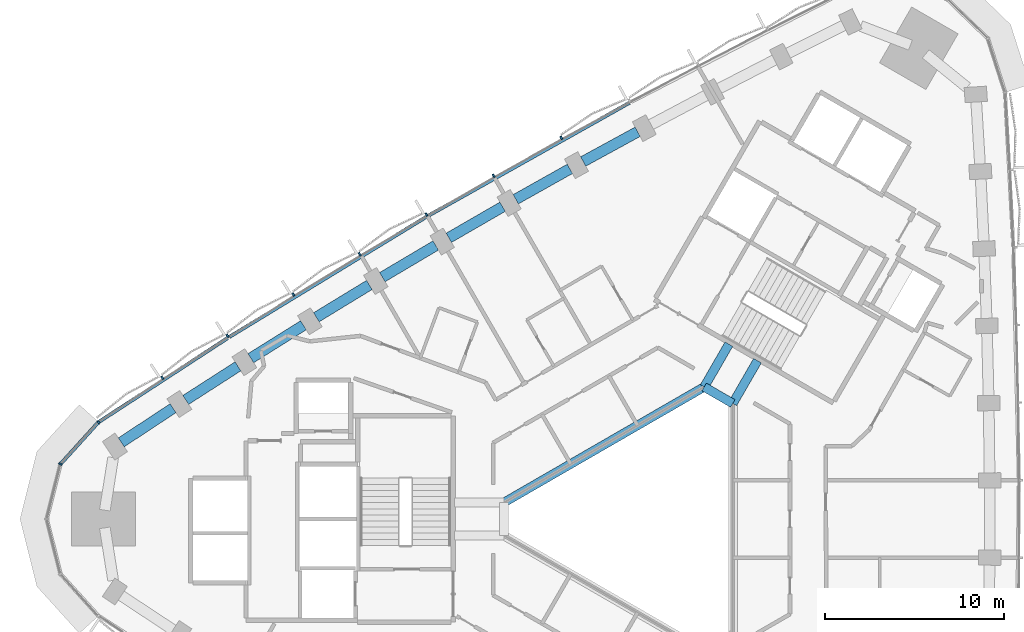
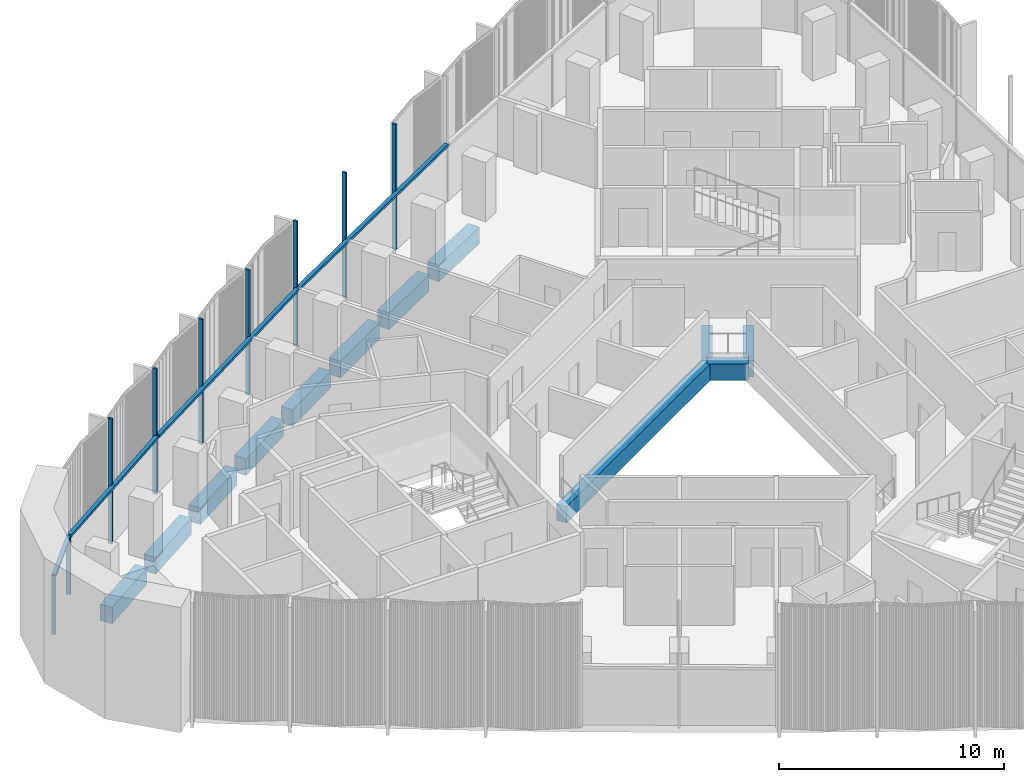
# One storey, part 4 of 15: 13 members, 12 beams, 1 element without a shape of its own.
"""IFC4 building model written with IfcOpenShell, lengths in metres."""

from ifc_helpers import new_model, si_unit, direction, frame, origin, origin_2d, place, context, subcontext, project, spatial, rectangle, extrude, material, material_profile, profile_set, type_object, element, aggregate, save


model = new_model("IFC4")

# Units and contexts
model_context = context("Model", 3, precision=1e-05, world=origin(), true_north=direction((0.0, 1.0)))
body_context = subcontext(model_context, "Body", "Model", "MODEL_VIEW")
ifc_project = project(units=[si_unit("LENGTHUNIT", "METRE"), si_unit("AREAUNIT", "SQUARE_METRE"), si_unit("VOLUMEUNIT", "CUBIC_METRE"), si_unit("PLANEANGLEUNIT", "RADIAN"), si_unit("MASSUNIT", "GRAM", prefix="KILO")], contexts=[model_context])

# Site, building, storey
site_placement = place(None, origin())
site = spatial("IfcSite", under=ifc_project, at=site_placement, CompositionType="ELEMENT")
building_placement = place(site_placement, origin())
building = spatial("IfcBuilding", under=site, at=building_placement, Name="Tamra Quay Hotel Tower", CompositionType="ELEMENT")
storey_placement = place(building_placement, frame((0.0, 0.0, 157.60009765625)))
storey = spatial("IfcBuildingStorey", under=building, at=storey_placement, Name="L39", CompositionType="ELEMENT", Elevation=157.60009765625)

# Beams
ifc_material_1 = material(Name="Concrete M60", Category="concrete")
ifc_material_profile_1 = material_profile(ifc_material_1, rectangle(XDim=0.5, YDim=0.89990234375, at=origin_2d()), Name="ATRIUM EDGE BEAM RC 500x900")
ifc_profile_set_1 = profile_set([ifc_material_profile_1], Name="Concrete M60")
beam_type_1 = type_object("IfcBeamType", Name="ATRIUM EDGE BEAM RC 500x900", PredefinedType="BEAM", material=ifc_profile_set_1)
beam_1_placement = place(storey_placement, frame((-8.0, 0.923828125, -0.85009765625), z_axis=(0.866024942741, 0.500000798549, 0.0), x_axis=(-0.500000798549, 0.866024942741, 0.0)))
element("IfcBeam", 1, at=beam_1_placement, inside=storey, type_object=beam_type_1, Name="BM-AB4-L39", PredefinedType="BEAM", context=body_context, shape_type="SweptSolid", body=[
    extrude(rectangle(XDim=0.5, YDim=0.89990234375, at=origin_2d()), origin(), (0.0, 0.0, 1.0), 12.9326171875),
])
beam_2_placement = place(storey_placement, frame((3.199951171875, 7.39013671875, -0.85009765625), z_axis=(0.86602275259, -0.500004591975, 0.0), x_axis=(0.500004591975, 0.86602275259, 0.0)))
element("IfcBeam", 2, at=beam_2_placement, inside=storey, type_object=beam_type_1, Name="BM-AB5-L39", PredefinedType="BEAM", context=body_context, shape_type="SweptSolid", body=[
    extrude(rectangle(XDim=0.5, YDim=0.89990234375, at=origin_2d()), origin(), (0.0, 0.0, 1.0), 1.84765625),
])
ifc_material_profile_2 = material_profile(ifc_material_1, rectangle(XDim=0.5, YDim=0.89990234375, at=origin_2d()), Name="ATRIUM TIE BEAM RC 500x900")
ifc_profile_set_2 = profile_set([ifc_material_profile_2], Name="Concrete M60")
beam_type_2 = type_object("IfcBeamType", Name="ATRIUM TIE BEAM RC 500x900", PredefinedType="BEAM", material=ifc_profile_set_2)
for number, where, z_axis, x_axis, name in (
    (3, (4.800048828125, 6.46630859375, -0.85009765625), (0.500008091576, 0.86602073206, 0.0), (-0.86602073206, 0.500008091576, 0.0), "BM-TIE-0-L39"),
    (4, (3.199951171875, 7.39013671875, -0.85009765625), (0.500008091576, 0.86602073206, 0.0), (-0.86602073206, 0.500008091576, 0.0), "BM-TIE-5-L39"),
):
    element("IfcBeam", number, at=place(storey_placement, frame(where, z_axis=z_axis, x_axis=x_axis)), inside=storey, type_object=beam_type_2, Name=name, PredefinedType="BEAM", context=body_context, shape_type="SweptSolid", body=[
        extrude(rectangle(XDim=0.5, YDim=0.89990234375, at=origin_2d()), origin(), (0.0, 0.0, 1.0), 2.76220703125),
    ])

# Curtain wall, members
ifc_material_2 = material(Name="Aluminium 6063 anodised dark grey", Category="aluminium")
curtain_wall_type = type_object("IfcCurtainWallType", Name="CW2 CURTAIN WALL", PredefinedType="NOTDEFINED", material=ifc_material_2)
curtain_wall_placement = place(storey_placement, origin())
curtain_wall = element("IfcCurtainWall", 5, at=curtain_wall_placement, inside=storey, type_object=curtain_wall_type, Name="CW2 north-west face L39", PredefinedType="NOTDEFINED")
ifc_material_profile_3 = material_profile(ifc_material_2, rectangle(XDim=0.199951171875, YDim=0.10009765625, at=origin_2d()), Name="MULLION 100X200")
ifc_profile_set_3 = profile_set([ifc_material_profile_3], Name="Aluminium 6063 anodised dark grey")
member_type_1 = type_object("IfcMemberType", Name="MULLION CW2 Z3", PredefinedType="MULLION", material=ifc_profile_set_3)
member_1_placement = place(storey_placement, frame((-4.792236328125, 21.329345703125, 0.0), z_axis=(0.0, 0.0, 1.0), x_axis=(-0.484394477866, 0.874849695555, 0.0)))
member_1 = element("IfcMember", 6, at=member_1_placement, type_object=member_type_1, Name="CW2 mullion L39.NW.5", PredefinedType="MULLION", context=body_context, shape_type="SweptSolid", body=[
    extrude(rectangle(XDim=0.199951171875, YDim=0.10009765625, at=origin_2d()), origin(), (0.0, 0.0, 1.0), 6.7998046875),
])
member_2_placement = place(storey_placement, frame((-8.578857421875, 19.202880859375, 0.0), z_axis=(0.0, 0.0, 1.0), x_axis=(-0.494813426934, 0.868999236205, 0.0)))
member_2 = element("IfcMember", 7, at=member_2_placement, type_object=member_type_1, Name="CW2 mullion L39.NW.6", PredefinedType="MULLION", context=body_context, shape_type="SweptSolid", body=[
    extrude(rectangle(XDim=0.199951171875, YDim=0.10009765625, at=origin_2d()), origin(), (0.0, 0.0, 1.0), 6.7998046875),
])
member_3_placement = place(storey_placement, frame((-12.3408203125, 17.031005859375, 0.0), z_axis=(0.0, 0.0, 1.0), x_axis=(-0.505168700956, 0.863020615961, 0.0)))
member_3 = element("IfcMember", 8, at=member_3_placement, type_object=member_type_1, Name="CW2 mullion L39.NW.7", PredefinedType="MULLION", context=body_context, shape_type="SweptSolid", body=[
    extrude(rectangle(XDim=0.199951171875, YDim=0.10009765625, at=origin_2d()), origin(), (0.0, 0.0, 1.0), 6.7998046875),
])
member_4_placement = place(storey_placement, frame((-16.07568359375, 14.814697265625, 0.0), z_axis=(0.0, 0.0, 1.0), x_axis=(-0.515444821911, 0.856922771062, 0.0)))
member_4 = element("IfcMember", 9, at=member_4_placement, type_object=member_type_1, Name="CW2 mullion L39.NW.8", PredefinedType="MULLION", context=body_context, shape_type="SweptSolid", body=[
    extrude(rectangle(XDim=0.199951171875, YDim=0.10009765625, at=origin_2d()), origin(), (0.0, 0.0, 1.0), 6.7998046875),
])
member_5_placement = place(storey_placement, frame((-19.784423828125, 12.5537109375, 0.0), z_axis=(0.0, 0.0, 1.0), x_axis=(-0.525646005383, 0.850703401325, 0.0)))
member_5 = element("IfcMember", 10, at=member_5_placement, type_object=member_type_1, Name="CW2 mullion L39.NW.9", PredefinedType="MULLION", context=body_context, shape_type="SweptSolid", body=[
    extrude(rectangle(XDim=0.199951171875, YDim=0.10009765625, at=origin_2d()), origin(), (0.0, 0.0, 1.0), 6.7998046875),
])
member_6_placement = place(storey_placement, frame((-23.466064453125, 10.248291015625, 0.0), z_axis=(0.0, 0.0, 1.0), x_axis=(-0.535760125246, 0.844370231709, 0.0)))
member_6 = element("IfcMember", 11, at=member_6_placement, type_object=member_type_1, Name="CW2 mullion L39.NW.10", PredefinedType="MULLION", context=body_context, shape_type="SweptSolid", body=[
    extrude(rectangle(XDim=0.199951171875, YDim=0.10009765625, at=origin_2d()), origin(), (0.0, 0.0, 1.0), 6.7998046875),
])
member_7_placement = place(storey_placement, frame((-27.119140625, 7.899658203125, 0.0), z_axis=(0.0, 0.0, 1.0), x_axis=(-0.545780314448, 0.837928307411, 0.0)))
member_7 = element("IfcMember", 12, at=member_7_placement, type_object=member_type_1, Name="CW2 mullion L39.NW.11", PredefinedType="MULLION", context=body_context, shape_type="SweptSolid", body=[
    extrude(rectangle(XDim=0.199951171875, YDim=0.10009765625, at=origin_2d()), origin(), (0.0, 0.0, 1.0), 6.7998046875),
])
member_8_placement = place(storey_placement, frame((-30.688720703125, 5.424560546875, 0.0), z_axis=(0.0, 0.0, 1.0), x_axis=(-0.650989312843, 0.759086895266, 0.0)))
member_8 = element("IfcMember", 13, at=member_8_placement, type_object=member_type_1, Name="CW2 mullion L39.NW.12", PredefinedType="MULLION", context=body_context, shape_type="SweptSolid", body=[
    extrude(rectangle(XDim=0.199951171875, YDim=0.10009765625, at=origin_2d()), origin(), (0.0, 0.0, 1.0), 3.199951171875),
])
member_9_placement = place(storey_placement, frame((-32.81787109375, 3.075439453125, 0.0), z_axis=(0.0, 0.0, 1.0), x_axis=(-0.881925145425, 0.47138947577, 0.0)))
member_9 = element("IfcMember", 14, at=member_9_placement, type_object=member_type_1, Name="CW2 mullion L39.NW.13", PredefinedType="MULLION", context=body_context, shape_type="SweptSolid", body=[
    extrude(rectangle(XDim=0.199951171875, YDim=0.10009765625, at=origin_2d()), origin(), (0.0, 0.0, 1.0), 3.199951171875),
])

# Beams
ifc_material_profile_4 = material_profile(ifc_material_1, rectangle(XDim=0.60009765625, YDim=0.89990234375, at=origin_2d()), Name="SPANDREL BEAM RC 600x900")
ifc_profile_set_4 = profile_set([ifc_material_profile_4], Name="Concrete M60")
beam_type_3 = type_object("IfcBeamType", Name="SPANDREL BEAM RC 600x900", PredefinedType="SPANDREL", material=ifc_profile_set_4)
beam_3_placement = place(storey_placement, frame((-0.523681640625, 21.6669921875, -0.85009765625), z_axis=(-0.877731617539, -0.479152593202, 0.0), x_axis=(0.479152593202, -0.877731617539, 0.0)))
element("IfcBeam", 15, at=beam_3_placement, inside=storey, type_object=beam_type_3, Name="BM-SP3-016-L39", PredefinedType="SPANDREL", context=body_context, shape_type="SweptSolid", body=[
    extrude(rectangle(XDim=0.60009765625, YDim=0.89990234375, at=origin_2d()), origin(), (0.0, 0.0, 1.0), 3.472412109375),
])
beam_4_placement = place(storey_placement, frame((-4.315185546875, 19.59130859375, -0.85009765625), z_axis=(-0.871956406858, -0.489583521516, 0.0), x_axis=(0.489583521516, -0.871956406858, 0.0)))
element("IfcBeam", 16, at=beam_4_placement, inside=storey, type_object=beam_type_3, Name="BM-SP3-017-L39", PredefinedType="SPANDREL", context=body_context, shape_type="SweptSolid", body=[
    extrude(rectangle(XDim=0.60009765625, YDim=0.89990234375, at=origin_2d()), origin(), (0.0, 0.0, 1.0), 3.47265625),
])
beam_5_placement = place(storey_placement, frame((-8.081787109375, 17.470458984375, -0.85009765625), z_axis=(-0.866032201241, -0.499988226275, 0.0), x_axis=(0.499988226275, -0.866032201241, 0.0)))
element("IfcBeam", 17, at=beam_5_placement, inside=storey, type_object=beam_type_3, Name="BM-SP3-018-L39", PredefinedType="SPANDREL", context=body_context, shape_type="SweptSolid", body=[
    extrude(rectangle(XDim=0.60009765625, YDim=0.89990234375, at=origin_2d()), origin(), (0.0, 0.0, 1.0), 3.47216796875),
])
beam_6_placement = place(storey_placement, frame((-11.822509765625, 15.304931640625, -0.85009765625), z_axis=(-0.859988767784, -0.510312962098, 0.0), x_axis=(0.510312962098, -0.859988767784, 0.0)))
element("IfcBeam", 18, at=beam_6_placement, inside=storey, type_object=beam_type_3, Name="BM-SP3-019-L39", PredefinedType="SPANDREL", context=body_context, shape_type="SweptSolid", body=[
    extrude(rectangle(XDim=0.60009765625, YDim=0.89990234375, at=origin_2d()), origin(), (0.0, 0.0, 1.0), 3.472900390625),
])
for number, where, z_axis, x_axis, name in (
    (19, (-15.53759765625, 13.094482421875, -0.85009765625), (-0.853835813207, -0.520542413339, 0.0), (0.520542413339, -0.853835813207, 0.0), "BM-SP3-020-L39"),
    (20, (-19.225341796875, 10.840087890625, -0.85009765625), (-0.847547681474, -0.530719255, 0.0), (0.530719255, -0.847547681474, 0.0), "BM-SP3-021-L39"),
):
    element("IfcBeam", number, at=place(storey_placement, frame(where, z_axis=z_axis, x_axis=x_axis)), inside=storey, type_object=beam_type_3, Name=name, PredefinedType="SPANDREL", context=body_context, shape_type="SweptSolid", body=[
        extrude(rectangle(XDim=0.60009765625, YDim=0.89990234375, at=origin_2d()), origin(), (0.0, 0.0, 1.0), 3.47216796875),
    ])
beam_7_placement = place(storey_placement, frame((-22.885986328125, 8.5419921875, -0.85009765625), z_axis=(-0.84116020305, -0.540786013878, 0.0), x_axis=(0.540786013878, -0.84116020305, 0.0)))
element("IfcBeam", 21, at=beam_7_placement, inside=storey, type_object=beam_type_3, Name="BM-SP3-022-L39", PredefinedType="SPANDREL", context=body_context, shape_type="SweptSolid", body=[
    extrude(rectangle(XDim=0.60009765625, YDim=0.89990234375, at=origin_2d()), origin(), (0.0, 0.0, 1.0), 3.47314453125),
])
beam_8_placement = place(storey_placement, frame((-26.51953125, 6.199951171875, -0.85009765625), z_axis=(-0.834690851507, -0.55071878705, 0.0), x_axis=(0.55071878705, -0.834690851507, 0.0)))
element("IfcBeam", 22, at=beam_8_placement, inside=storey, type_object=beam_type_3, Name="BM-SP3-023-L39", PredefinedType="SPANDREL", context=body_context, shape_type="SweptSolid", body=[
    extrude(rectangle(XDim=0.60009765625, YDim=0.89990234375, at=origin_2d()), origin(), (0.0, 0.0, 1.0), 3.472412109375),
])

# Member
ifc_material_profile_5 = material_profile(ifc_material_2, rectangle(XDim=0.199951171875, YDim=0.139892578125, at=origin_2d()), Name="TRANSOM 200X140")
ifc_profile_set_5 = profile_set([ifc_material_profile_5], Name="Aluminium 6063 anodised dark grey")
member_type_2 = type_object("IfcMemberType", Name="TRANSOM CW2 Z3", PredefinedType="USERDEFINED", material=ifc_profile_set_5)
member_10_placement = place(storey_placement, frame((-0.97607421875, 23.298828125, 3.1298828125), z_axis=(-0.871933427446, -0.48962444598, 0.0), x_axis=(0.48962444598, -0.871933427446, 0.0)))
member_10 = element("IfcMember", 23, at=member_10_placement, type_object=member_type_2, Name="CW2 transom L39.NW.4", ObjectType="TRANSOM", PredefinedType="USERDEFINED", context=body_context, shape_type="SweptSolid", body=[
    extrude(rectangle(XDim=0.199951171875, YDim=0.139892578125, at=origin_2d()), origin(), (0.0, 0.0, 1.0), 12.926513671875),
])

member_11_placement = place(storey_placement, frame((-12.333251953125, 16.919189453125, 3.1298828125), z_axis=(-0.853831802217, -0.520548992433, 0.0), x_axis=(0.520548992433, -0.853831802217, 0.0)))
member_11 = element("IfcMember", 24, at=member_11_placement, type_object=member_type_2, Name="CW2 transom L39.NW.7", ObjectType="TRANSOM", PredefinedType="USERDEFINED", context=body_context, shape_type="SweptSolid", body=[
    extrude(rectangle(XDim=0.199951171875, YDim=0.139892578125, at=origin_2d()), origin(), (0.0, 0.0, 1.0), 12.92626953125),
])

member_12_placement = place(storey_placement, frame((-23.45458984375, 10.13671875, 3.1298828125), z_axis=(-0.837931839727, -0.545774891298, 0.0), x_axis=(0.545774891298, -0.837931839727, 0.0)))
member_12 = element("IfcMember", 25, at=member_12_placement, type_object=member_type_2, Name="CW2 transom L39.NW.10", ObjectType="TRANSOM", PredefinedType="USERDEFINED", context=body_context, shape_type="SweptSolid", body=[
    extrude(rectangle(XDim=0.199951171875, YDim=0.139892578125, at=origin_2d()), origin(), (0.0, 0.0, 1.0), 8.583740234375),
])

member_13_placement = place(storey_placement, frame((-30.722412109375, 5.387451171875, 3.1298828125), z_axis=(-0.671548073699, -0.740960987307, 0.0), x_axis=(0.740960987307, -0.671548073699, 0.0)))
member_13 = element("IfcMember", 26, at=member_13_placement, type_object=member_type_2, Name="CW2 transom L39.NW.12", ObjectType="TRANSOM", PredefinedType="USERDEFINED", context=body_context, shape_type="SweptSolid", body=[
    extrude(rectangle(XDim=0.199951171875, YDim=0.139892578125, at=origin_2d()), origin(), (0.0, 0.0, 1.0), 3.070556640625),
])

aggregate(curtain_wall, [member_10, member_1, member_2, member_3, member_11, member_4, member_5, member_6, member_12, member_7, member_8, member_13, member_9])

save(model, "model.ifc")
